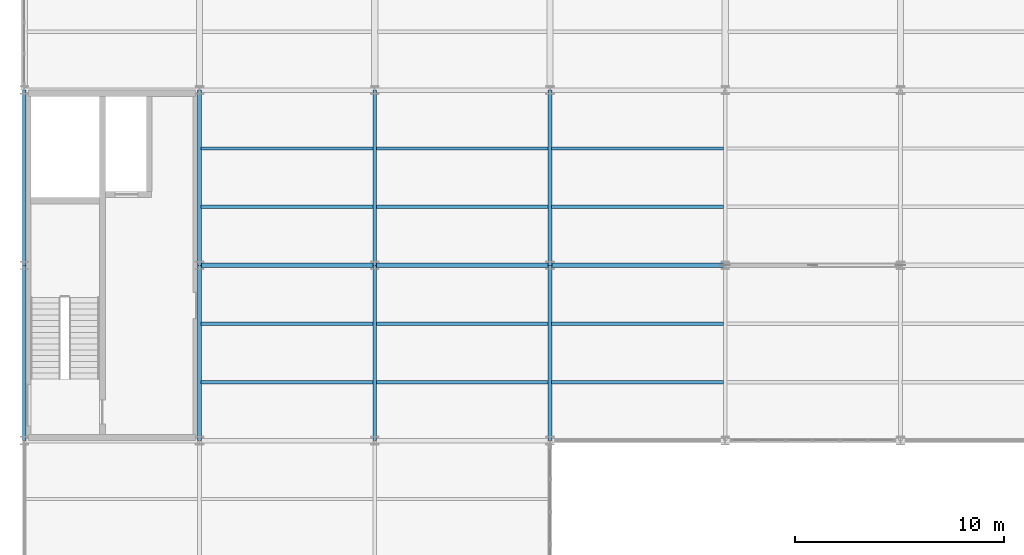
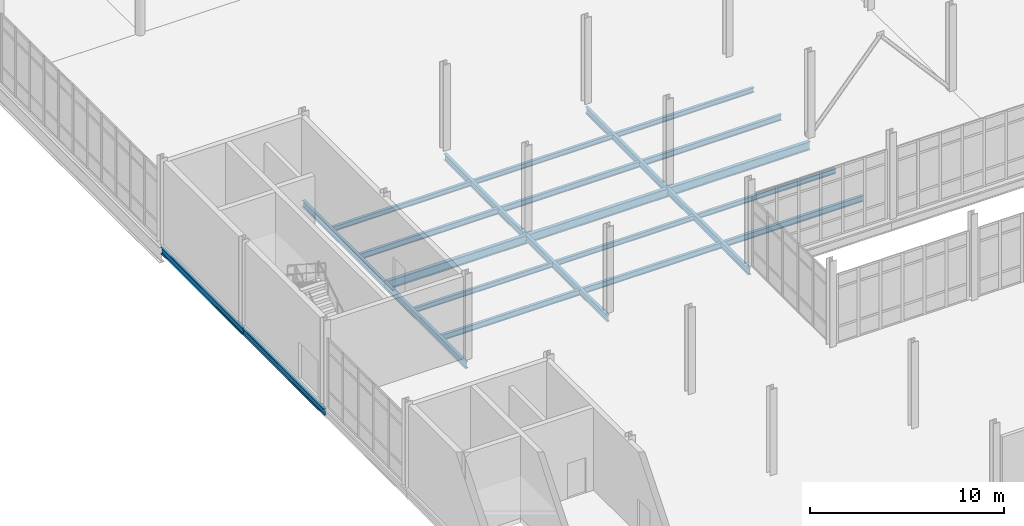
# One storey, part 46 of 111: 23 beams.
"""IFC4 building model written with IfcOpenShell, lengths in metres."""

from ifc_helpers import new_model, si_unit, direction, frame, origin, origin_2d, place, context, subcontext, project, spatial, i_section, extrude, material, material_profile, profile_set, type_object, element, save


model = new_model("IFC4")

# Units and contexts
model_context = context("Model", 3, precision=1e-05, world=origin(), true_north=direction((0.0, 1.0)))
body_context = subcontext(model_context, "Body", "Model", "MODEL_VIEW")
ifc_project = project(units=[si_unit("LENGTHUNIT", "METRE"), si_unit("AREAUNIT", "SQUARE_METRE"), si_unit("VOLUMEUNIT", "CUBIC_METRE"), si_unit("PLANEANGLEUNIT", "RADIAN"), si_unit("MASSUNIT", "GRAM", prefix="KILO"), si_unit("THERMODYNAMICTEMPERATUREUNIT", "KELVIN"), si_unit("POWERUNIT", "WATT")], contexts=[model_context])

# Site, building, storey
site_placement = place(None, origin())
site = spatial("IfcSite", under=ifc_project, at=site_placement, CompositionType="ELEMENT")
building_placement = place(site_placement, origin())
building = spatial("IfcBuilding", under=site, at=building_placement, Name="Tembeka Court Mobility Hub", CompositionType="ELEMENT")
storey_placement = place(building_placement, origin())
storey = spatial("IfcBuildingStorey", under=building, at=storey_placement, Name="L00", CompositionType="ELEMENT", Elevation=0.0)

# Beams
ifc_material = material(Name="Steel S355", Category="steel")
ifc_material_profile_1 = material_profile(ifc_material, i_section(OverallWidth=0.177978515625, OverallDepth=0.406005859375, WebThickness=0.0078125, FlangeThickness=0.0126953125, FilletRadius=0.01025390625, at=origin_2d()), Name="UKB 406x178x60")
ifc_profile_set_1 = profile_set([ifc_material_profile_1], Name="Steel S355")
beam_type_1 = type_object("IfcBeamType", Name="BM-B02", PredefinedType="BEAM", material=ifc_profile_set_1)
for number, where, z_axis, x_axis, name in (
    (1, (0.0, 63.60009765625, -0.48291015625), (0.0, 1.0, 0.0), (-1.0, 0.0, 0.0), "Beam B02 (BM-L00-Y0170)"),
    (2, (0.0, 72.0, -0.48291015625), (0.0, 1.0, 0.0), (-1.0, 0.0, 0.0), "Beam B02 (BM-L00-Y0171)"),
    (3, (8.39990234375, 63.60009765625, -0.48291015625), (0.0, 1.0, 0.0), (-1.0, 0.0, 0.0), "Beam B02 (BM-L00-Y0181)"),
    (4, (8.39990234375, 72.0, -0.48291015625), (0.0, 1.0, 0.0), (-1.0, 0.0, 0.0), "Beam B02 (BM-L00-Y0182)"),
    (5, (16.800048828125, 63.60009765625, -0.48291015625), (0.0, 1.0, 0.0), (-1.0, 0.0, 0.0), "Beam B02 (BM-L00-Y0192)"),
    (6, (16.800048828125, 72.0, -0.48291015625), (0.0, 1.0, 0.0), (-1.0, 0.0, 0.0), "Beam B02 (BM-L00-Y0193)"),
    (7, (25.199951171875, 63.60009765625, -0.48291015625), (0.0, 1.0, 0.0), (-1.0, 0.0, 0.0), "Beam B02 (BM-L00-Y0201)"),
    (8, (25.199951171875, 72.0, -0.48291015625), (0.0, 1.0, 0.0), (-1.0, 0.0, 0.0), "Beam B02 (BM-L00-Y0202)"),
):
    element("IfcBeam", number, at=place(storey_placement, frame(where, z_axis=z_axis, x_axis=x_axis)), inside=storey, type_object=beam_type_1, Name=name, PredefinedType="BEAM", context=body_context, shape_type="SweptSolid", body=[
        extrude(i_section(OverallWidth=0.177978515625, OverallDepth=0.406005859375, WebThickness=0.0078125, FlangeThickness=0.0126953125, FilletRadius=0.01025390625, at=origin_2d()), origin(), (0.0, 0.0, 1.0), 8.39990234375),
    ])
ifc_material_profile_2 = material_profile(ifc_material, i_section(OverallWidth=0.2099609375, OverallDepth=0.537109375, WebThickness=0.0107421875, FlangeThickness=0.017333984375, FilletRadius=0.0126953125, at=origin_2d()), Name="UKB 533x210x101")
ifc_profile_set_2 = profile_set([ifc_material_profile_2], Name="Steel S355")
beam_type_2 = type_object("IfcBeamType", Name="BM-G03", PredefinedType="USERDEFINED", material=ifc_profile_set_2)
beam_1_placement = place(storey_placement, frame((8.39990234375, 72.0, -0.548583984375), z_axis=(1.0, 0.0, 0.0), x_axis=(0.0, 1.0, 0.0)))
element("IfcBeam", 9, at=beam_1_placement, inside=storey, type_object=beam_type_2, Name="Beam G03 (BM-L00-X0107)", ObjectType="GIRDER", PredefinedType="USERDEFINED", context=body_context, shape_type="SweptSolid", body=[
    extrude(i_section(OverallWidth=0.2099609375, OverallDepth=0.537109375, WebThickness=0.0107421875, FlangeThickness=0.017333984375, FilletRadius=0.0126953125, at=origin_2d()), origin(), (0.0, 0.0, 1.0), 8.400146484375),
])
beam_2_placement = place(storey_placement, frame((16.800048828125, 72.0, -0.548583984375), z_axis=(1.0, 0.0, 0.0), x_axis=(0.0, 1.0, 0.0)))
element("IfcBeam", 10, at=beam_2_placement, inside=storey, type_object=beam_type_2, Name="Beam G03 (BM-L00-X0108)", ObjectType="GIRDER", PredefinedType="USERDEFINED", context=body_context, shape_type="SweptSolid", body=[
    extrude(i_section(OverallWidth=0.2099609375, OverallDepth=0.537109375, WebThickness=0.0107421875, FlangeThickness=0.017333984375, FilletRadius=0.0126953125, at=origin_2d()), origin(), (0.0, 0.0, 1.0), 8.39990234375),
])
beam_3_placement = place(storey_placement, frame((25.199951171875, 72.0, -0.548583984375), z_axis=(1.0, 0.0, 0.0), x_axis=(0.0, 1.0, 0.0)))
element("IfcBeam", 11, at=beam_3_placement, inside=storey, type_object=beam_type_2, Name="Beam G03 (BM-L00-X0109)", ObjectType="GIRDER", PredefinedType="USERDEFINED", context=body_context, shape_type="SweptSolid", body=[
    extrude(i_section(OverallWidth=0.2099609375, OverallDepth=0.537109375, WebThickness=0.0107421875, FlangeThickness=0.017333984375, FilletRadius=0.0126953125, at=origin_2d()), origin(), (0.0, 0.0, 1.0), 8.400146484375),
])
ifc_material_profile_3 = material_profile(ifc_material, i_section(OverallWidth=0.1650390625, OverallDepth=0.303955078125, WebThickness=0.006103515625, FlangeThickness=0.01025390625, FilletRadius=0.0087890625, at=origin_2d()), Name="UKB 305x165x40")
ifc_profile_set_3 = profile_set([ifc_material_profile_3], Name="Steel S355")
beam_type_3 = type_object("IfcBeamType", Name="BM-J02", PredefinedType="JOIST", material=ifc_profile_set_3)
for number, where, z_axis, x_axis, name in (
    (12, (8.48388671875, 69.199951171875, -0.431884765625), (1.0, 0.0, 0.0), (0.0, 1.0, 0.0), "Beam J02 (JST-L00-0350)"),
    (13, (8.48388671875, 77.60009765625, -0.431884765625), (1.0, 0.0, 0.0), (0.0, 1.0, 0.0), "Beam J02 (JST-L00-0352)"),
):
    element("IfcBeam", number, at=place(storey_placement, frame(where, z_axis=z_axis, x_axis=x_axis)), inside=storey, type_object=beam_type_3, Name=name, PredefinedType="JOIST", context=body_context, shape_type="SweptSolid", body=[
        extrude(i_section(OverallWidth=0.1650390625, OverallDepth=0.303955078125, WebThickness=0.006103515625, FlangeThickness=0.01025390625, FilletRadius=0.0087890625, at=origin_2d()), origin(), (0.0, 0.0, 1.0), 8.232177734375),
    ])
for number, where, z_axis, x_axis, name in (
    (14, (16.884033203125, 69.199951171875, -0.431884765625), (1.0, 0.0, 0.0), (0.0, 1.0, 0.0), "Beam J02 (JST-L00-0370)"),
    (15, (16.884033203125, 77.60009765625, -0.431884765625), (1.0, 0.0, 0.0), (0.0, 1.0, 0.0), "Beam J02 (JST-L00-0372)"),
):
    element("IfcBeam", number, at=place(storey_placement, frame(where, z_axis=z_axis, x_axis=x_axis)), inside=storey, type_object=beam_type_3, Name=name, PredefinedType="JOIST", context=body_context, shape_type="SweptSolid", body=[
        extrude(i_section(OverallWidth=0.1650390625, OverallDepth=0.303955078125, WebThickness=0.006103515625, FlangeThickness=0.01025390625, FilletRadius=0.0087890625, at=origin_2d()), origin(), (0.0, 0.0, 1.0), 8.23193359375),
    ])
for number, where, z_axis, x_axis, name in (
    (16, (25.283935546875, 69.199951171875, -0.431884765625), (1.0, 0.0, 0.0), (0.0, 1.0, 0.0), "Beam J02 (JST-L00-0388)"),
    (17, (25.283935546875, 77.60009765625, -0.431884765625), (1.0, 0.0, 0.0), (0.0, 1.0, 0.0), "Beam J02 (JST-L00-0390)"),
):
    element("IfcBeam", number, at=place(storey_placement, frame(where, z_axis=z_axis, x_axis=x_axis)), inside=storey, type_object=beam_type_3, Name=name, PredefinedType="JOIST", context=body_context, shape_type="SweptSolid", body=[
        extrude(i_section(OverallWidth=0.1650390625, OverallDepth=0.303955078125, WebThickness=0.006103515625, FlangeThickness=0.01025390625, FilletRadius=0.0087890625, at=origin_2d()), origin(), (0.0, 0.0, 1.0), 8.232177734375),
    ])
ifc_material_profile_4 = material_profile(ifc_material, i_section(OverallWidth=0.169921875, OverallDepth=0.360107421875, WebThickness=0.008056640625, FlangeThickness=0.0126953125, FilletRadius=0.01806640625, at=origin_2d()), Name="IPE 360")
ifc_profile_set_4 = profile_set([ifc_material_profile_4], Name="Steel S355")
beam_type_4 = type_object("IfcBeamType", Name="BM-J03", PredefinedType="JOIST", material=ifc_profile_set_4)
for number, where, z_axis, x_axis, name in (
    (18, (8.48388671875, 66.39990234375, -0.4599609375), (1.0, 0.0, 0.0), (0.0, 1.0, 0.0), "Beam J03 (JST-L00-0349)"),
    (19, (8.48388671875, 74.800048828125, -0.4599609375), (1.0, 0.0, 0.0), (0.0, 1.0, 0.0), "Beam J03 (JST-L00-0351)"),
):
    element("IfcBeam", number, at=place(storey_placement, frame(where, z_axis=z_axis, x_axis=x_axis)), inside=storey, type_object=beam_type_4, Name=name, PredefinedType="JOIST", context=body_context, shape_type="SweptSolid", body=[
        extrude(i_section(OverallWidth=0.169921875, OverallDepth=0.360107421875, WebThickness=0.008056640625, FlangeThickness=0.0126953125, FilletRadius=0.01806640625, at=origin_2d()), origin(), (0.0, 0.0, 1.0), 8.232177734375),
    ])
for number, where, z_axis, x_axis, name in (
    (20, (16.884033203125, 66.39990234375, -0.4599609375), (1.0, 0.0, 0.0), (0.0, 1.0, 0.0), "Beam J03 (JST-L00-0369)"),
    (21, (16.884033203125, 74.800048828125, -0.4599609375), (1.0, 0.0, 0.0), (0.0, 1.0, 0.0), "Beam J03 (JST-L00-0371)"),
):
    element("IfcBeam", number, at=place(storey_placement, frame(where, z_axis=z_axis, x_axis=x_axis)), inside=storey, type_object=beam_type_4, Name=name, PredefinedType="JOIST", context=body_context, shape_type="SweptSolid", body=[
        extrude(i_section(OverallWidth=0.169921875, OverallDepth=0.360107421875, WebThickness=0.008056640625, FlangeThickness=0.0126953125, FilletRadius=0.01806640625, at=origin_2d()), origin(), (0.0, 0.0, 1.0), 8.23193359375),
    ])
for number, where, z_axis, x_axis, name in (
    (22, (25.283935546875, 66.39990234375, -0.4599609375), (1.0, 0.0, 0.0), (0.0, 1.0, 0.0), "Beam J03 (JST-L00-0387)"),
    (23, (25.283935546875, 74.800048828125, -0.4599609375), (1.0, 0.0, 0.0), (0.0, 1.0, 0.0), "Beam J03 (JST-L00-0389)"),
):
    element("IfcBeam", number, at=place(storey_placement, frame(where, z_axis=z_axis, x_axis=x_axis)), inside=storey, type_object=beam_type_4, Name=name, PredefinedType="JOIST", context=body_context, shape_type="SweptSolid", body=[
        extrude(i_section(OverallWidth=0.169921875, OverallDepth=0.360107421875, WebThickness=0.008056640625, FlangeThickness=0.0126953125, FilletRadius=0.01806640625, at=origin_2d()), origin(), (0.0, 0.0, 1.0), 8.232177734375),
    ])

save(model, "model.ifc")
